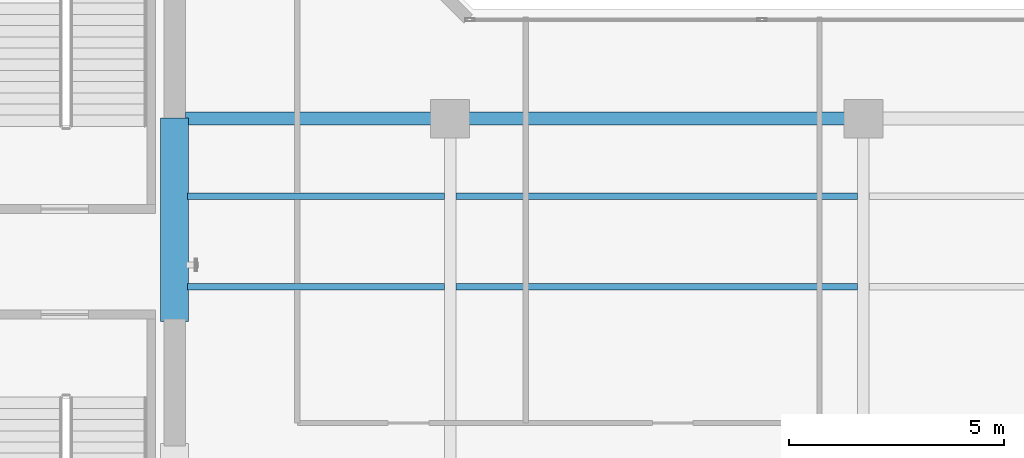
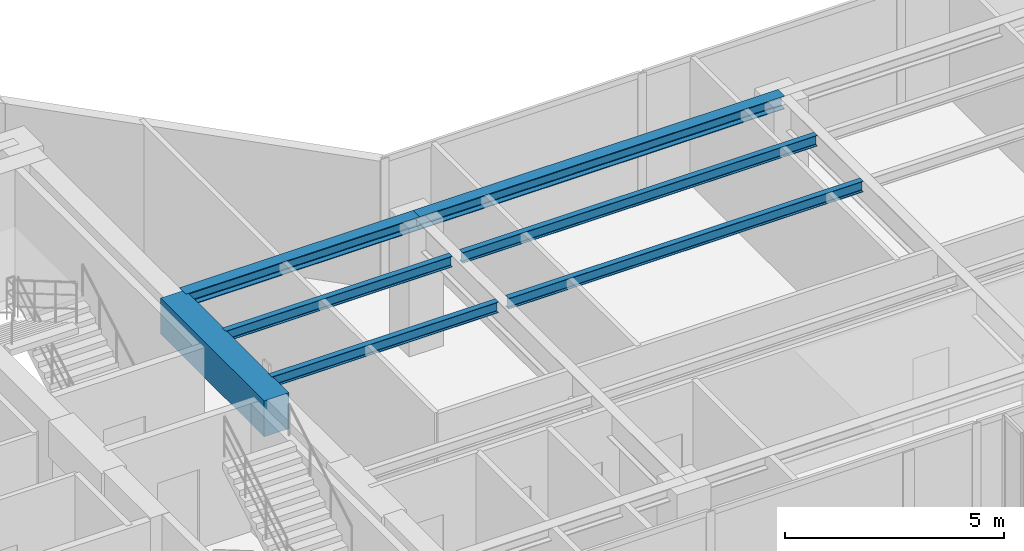
# One storey, part 6 of 24: 7 beams.
"""IFC4 building model written with IfcOpenShell, lengths in metres."""

from ifc_helpers import new_model, si_unit, direction, frame, origin, origin_2d, place, context, subcontext, project, spatial, rectangle, i_section, extrude, material, material_profile, profile_set, type_object, element, save


model = new_model("IFC4")

# Units and contexts
model_context = context("Model", 3, precision=1e-05, world=origin(), true_north=direction((0.0, 1.0)))
body_context = subcontext(model_context, "Body", "Model", "MODEL_VIEW")
ifc_project = project(units=[si_unit("LENGTHUNIT", "METRE"), si_unit("AREAUNIT", "SQUARE_METRE"), si_unit("VOLUMEUNIT", "CUBIC_METRE"), si_unit("PLANEANGLEUNIT", "RADIAN"), si_unit("MASSUNIT", "GRAM", prefix="KILO")], contexts=[model_context])

# Site, building, storey
site_placement = place(None, origin())
site = spatial("IfcSite", under=ifc_project, at=site_placement, CompositionType="ELEMENT")
building_placement = place(site_placement, origin())
building = spatial("IfcBuilding", under=site, at=building_placement, Name="Kolvaren Waterfront Exchange", CompositionType="ELEMENT")
storey_placement = place(building_placement, frame((0.0, 0.0, 285.60009765625)))
storey = spatial("IfcBuildingStorey", under=building, at=storey_placement, Name="L73", CompositionType="ELEMENT", Elevation=285.60009765625)

# Beams
ifc_material_1 = material(Name="Steel S355", Category="steel")
ifc_material_profile_1 = material_profile(ifc_material_1, i_section(OverallWidth=0.300048828125, OverallDepth=0.360107421875, WebThickness=0.012451171875, FlangeThickness=0.0224609375, FilletRadius=0.027099609375, at=origin_2d()), Name="HEB360")
ifc_profile_set_1 = profile_set([ifc_material_profile_1], Name="Steel S355")
beam_type_1 = type_object("IfcBeamType", Name="STR-BM-HEB360", PredefinedType="SPANDREL", material=ifc_profile_set_1)
beam_1_placement = place(storey_placement, frame((21.050048828125, 17.39990234375, 3.3798828125), z_axis=(1.0, 0.0, 0.0), x_axis=(0.0, 1.0, 0.0)))
element("IfcBeam", 1, at=beam_1_placement, inside=storey, type_object=beam_type_1, Name="L73 east-arm spandrel N1", PredefinedType="SPANDREL", context=body_context, shape_type="SweptSolid", body=[
    extrude(i_section(OverallWidth=0.300048828125, OverallDepth=0.360107421875, WebThickness=0.012451171875, FlangeThickness=0.0224609375, FilletRadius=0.027099609375, at=origin_2d()), origin(), (0.0, 0.0, 1.0), 6.14990234375),
])
beam_2_placement = place(storey_placement, frame((27.199951171875, 17.39990234375, 3.3798828125), z_axis=(1.0, 0.0, 0.0), x_axis=(0.0, 1.0, 0.0)))
element("IfcBeam", 2, at=beam_2_placement, inside=storey, type_object=beam_type_1, Name="L73 east-arm spandrel N2", PredefinedType="SPANDREL", context=body_context, shape_type="SweptSolid", body=[
    extrude(i_section(OverallWidth=0.300048828125, OverallDepth=0.360107421875, WebThickness=0.012451171875, FlangeThickness=0.0224609375, FilletRadius=0.027099609375, at=origin_2d()), origin(), (0.0, 0.0, 1.0), 9.60009765625),
])
ifc_material_profile_2 = material_profile(ifc_material_1, i_section(OverallWidth=0.14990234375, OverallDepth=0.300048828125, WebThickness=0.007080078125, FlangeThickness=0.0107421875, FilletRadius=0.014892578125, at=origin_2d()), Name="IPE300")
ifc_profile_set_2 = profile_set([ifc_material_profile_2], Name="Steel S355")
beam_type_2 = type_object("IfcBeamType", Name="STR-BM-IPE300", PredefinedType="JOIST", material=ifc_profile_set_2)
for number, where, z_axis, x_axis, name in (
    (3, (21.10009765625, 13.5, 3.409912109375), (1.0, 0.0, 0.0), (0.0, 1.0, 0.0), "L73 east-arm composite joist 1A"),
    (4, (21.10009765625, 15.60009765625, 3.409912109375), (1.0, 0.0, 0.0), (0.0, 1.0, 0.0), "L73 east-arm composite joist 1C"),
):
    element("IfcBeam", number, at=place(storey_placement, frame(where, z_axis=z_axis, x_axis=x_axis)), inside=storey, type_object=beam_type_2, Name=name, PredefinedType="JOIST", context=body_context, shape_type="SweptSolid", body=[
        extrude(i_section(OverallWidth=0.14990234375, OverallDepth=0.300048828125, WebThickness=0.007080078125, FlangeThickness=0.0107421875, FilletRadius=0.014892578125, at=origin_2d()), origin(), (0.0, 0.0, 1.0), 5.96435546875),
    ])
for number, where, z_axis, x_axis, name in (
    (5, (27.33544921875, 13.5, 3.409912109375), (1.0, 0.0, 0.0), (0.0, 1.0, 0.0), "L73 east-arm composite joist 2A"),
    (6, (27.33544921875, 15.60009765625, 3.409912109375), (1.0, 0.0, 0.0), (0.0, 1.0, 0.0), "L73 east-arm composite joist 2C"),
):
    element("IfcBeam", number, at=place(storey_placement, frame(where, z_axis=z_axis, x_axis=x_axis)), inside=storey, type_object=beam_type_2, Name=name, PredefinedType="JOIST", context=body_context, shape_type="SweptSolid", body=[
        extrude(i_section(OverallWidth=0.14990234375, OverallDepth=0.300048828125, WebThickness=0.007080078125, FlangeThickness=0.0107421875, FilletRadius=0.014892578125, at=origin_2d()), origin(), (0.0, 0.0, 1.0), 9.3291015625),
    ])
ifc_material_2 = material(Name="Concrete C60/75", Category="concrete")
ifc_material_profile_3 = material_profile(ifc_material_2, rectangle(XDim=0.64990234375, YDim=1.0, at=origin_2d()), Name="RC-CB-1000x650")
ifc_profile_set_3 = profile_set([ifc_material_profile_3], Name="Concrete C60/75")
beam_type_3 = type_object("IfcBeamType", Name="STR-CB-1000", PredefinedType="SPANDREL", material=ifc_profile_set_3)
beam_3_placement = place(storey_placement, frame((20.800048828125, 12.68994140625, 3.059814453125), z_axis=(0.0, 1.0, 0.0), x_axis=(-1.0, 0.0, 0.0)))
element("IfcBeam", 7, at=beam_3_placement, inside=storey, type_object=beam_type_3, Name="L73 core coupling beam 2", PredefinedType="SPANDREL", context=body_context, shape_type="SweptSolid", body=[
    extrude(rectangle(XDim=0.64990234375, YDim=1.0, at=origin_2d()), origin(), (0.0, 0.0, 1.0), 4.719970703125),
])

save(model, "model.ifc")
